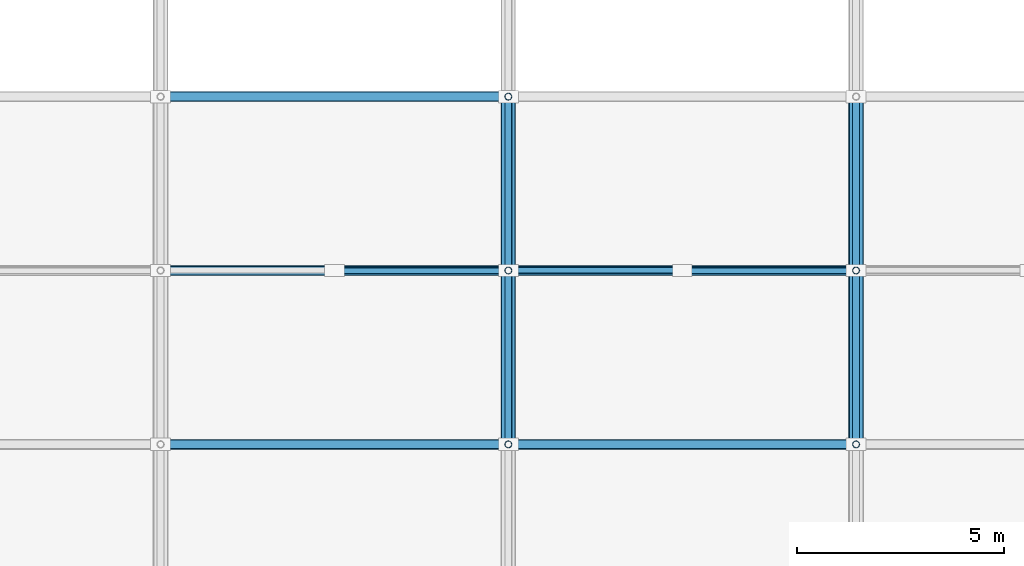
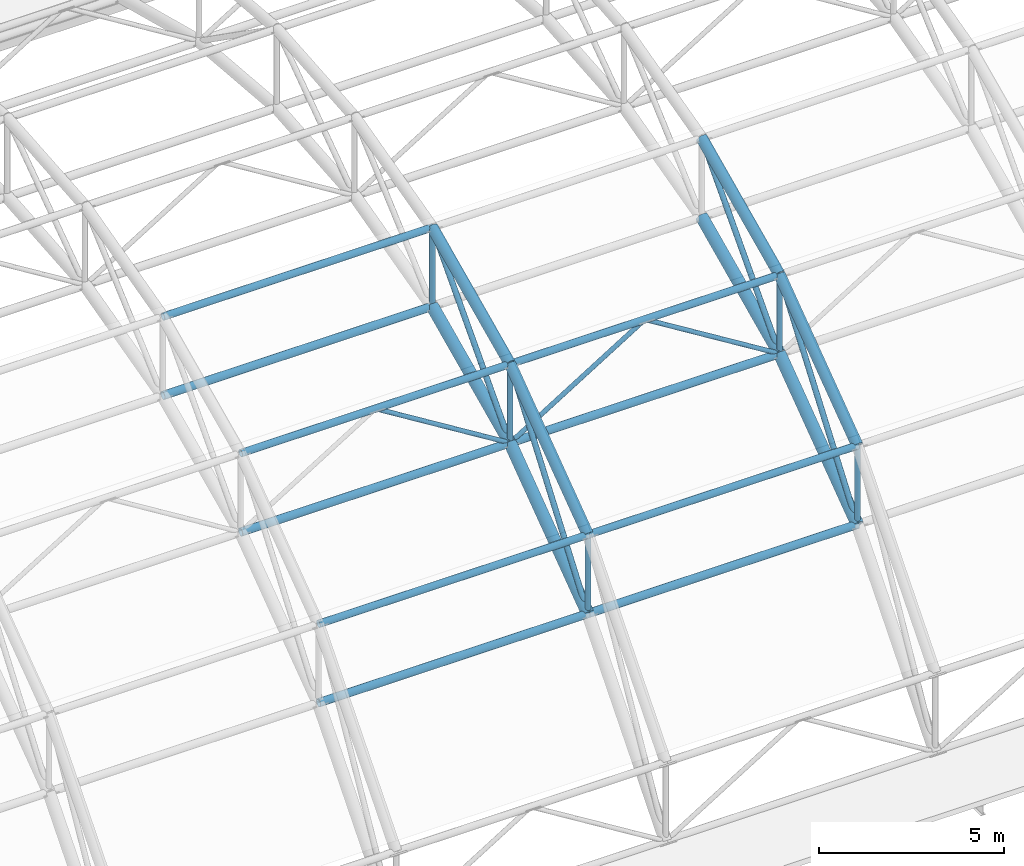
# One storey, part 31 of 103: 22 members, 8 beams.
"""IFC4 building model written with IfcOpenShell, lengths in metres."""

from ifc_helpers import new_model, si_unit, direction, frame, origin, origin_2d, place, context, subcontext, project, spatial, hollow_circle, extrude, material, material_profile, profile_set, type_object, element, save


model = new_model("IFC4")

# Units and contexts
model_context = context("Model", 3, precision=1e-05, world=origin(), true_north=direction((0.0, 1.0)))
body_context = subcontext(model_context, "Body", "Model", "MODEL_VIEW")
ifc_project = project(units=[si_unit("LENGTHUNIT", "METRE"), si_unit("AREAUNIT", "SQUARE_METRE"), si_unit("VOLUMEUNIT", "CUBIC_METRE"), si_unit("PLANEANGLEUNIT", "RADIAN"), si_unit("MASSUNIT", "GRAM", prefix="KILO")], contexts=[model_context])

# Site, building, storey
site_placement = place(None, origin())
site = spatial("IfcSite", under=ifc_project, at=site_placement, CompositionType="ELEMENT")
building_placement = place(site_placement, origin())
building = spatial("IfcBuilding", under=site, at=building_placement, Name="Varnapada Polytechnic", CompositionType="ELEMENT")
storey_placement = place(building_placement, frame((0.0, 0.0, 18.0)))
storey = spatial("IfcBuildingStorey", under=building, at=storey_placement, Name="L04", CompositionType="ELEMENT", Elevation=18.0)

# Members
ifc_material = material(Name="Steel S355", Category="steel")
ifc_material_profile_1 = material_profile(ifc_material, hollow_circle(Radius=0.122314453125, WallThickness=0.008056640625, at=origin_2d()), Name="CHS 244.5x8.0")
ifc_profile_set_1 = profile_set([ifc_material_profile_1], Name="Steel S355")
member_type_1 = type_object("IfcMemberType", Name="Vaulted space frame longitudinal bottom chord SFC-01 (CHS 244.5x8.0)", PredefinedType="CHORD", material=ifc_profile_set_1)
for number, where, z_axis, x_axis, name in (
    (1, (92.39990234375, 88.199951171875, 4.94921875), (1.0, 0.0, 0.0), (0.0, 1.0, 0.0), "Vaulted space frame longitudinal bottom chord 6.2"),
    (2, (92.39990234375, 92.39990234375, 8.02783203125), (1.0, 0.0, 0.0), (0.0, 1.0, 0.0), "Vaulted space frame longitudinal bottom chord 6.3"),
    (3, (92.39990234375, 96.60009765625, 9.98193359375), (1.0, 0.0, 0.0), (0.0, 1.0, 0.0), "Vaulted space frame longitudinal bottom chord 6.4"),
):
    element("IfcMember", number, at=place(storey_placement, frame(where, z_axis=z_axis, x_axis=x_axis)), inside=storey, type_object=member_type_1, Name=name, PredefinedType="CHORD", context=body_context, shape_type="SweptSolid", body=[
        extrude(hollow_circle(Radius=0.122314453125, WallThickness=0.008056640625, at=origin_2d()), origin(), (0.0, 0.0, 1.0), 8.400146484375),
    ])
for number, where, z_axis, x_axis, name in (
    (4, (100.800048828125, 88.199951171875, 4.94921875), (1.0, 0.0, 0.0), (0.0, 1.0, 0.0), "Vaulted space frame longitudinal bottom chord 7.2"),
    (5, (100.800048828125, 92.39990234375, 8.02783203125), (1.0, 0.0, 0.0), (0.0, 1.0, 0.0), "Vaulted space frame longitudinal bottom chord 7.3"),
):
    element("IfcMember", number, at=place(storey_placement, frame(where, z_axis=z_axis, x_axis=x_axis)), inside=storey, type_object=member_type_1, Name=name, PredefinedType="CHORD", context=body_context, shape_type="SweptSolid", body=[
        extrude(hollow_circle(Radius=0.122314453125, WallThickness=0.008056640625, at=origin_2d()), origin(), (0.0, 0.0, 1.0), 8.39990234375),
    ])
ifc_material_profile_2 = material_profile(ifc_material, hollow_circle(Radius=0.109619140625, WallThickness=0.008056640625, at=origin_2d()), Name="CHS 219.1x8.0")
ifc_profile_set_2 = profile_set([ifc_material_profile_2], Name="Steel S355")
member_type_2 = type_object("IfcMemberType", Name="Vaulted space frame longitudinal top chord SFC-02 (CHS 219.1x8.0)", PredefinedType="CHORD", material=ifc_profile_set_2)
for number, where, z_axis, x_axis, name in (
    (6, (92.39990234375, 88.199951171875, 7.549072265625), (1.0, 0.0, 0.0), (0.0, 1.0, 0.0), "Vaulted space frame longitudinal top chord 6.2"),
    (7, (92.39990234375, 92.39990234375, 10.6279296875), (1.0, 0.0, 0.0), (0.0, 1.0, 0.0), "Vaulted space frame longitudinal top chord 6.3"),
    (8, (92.39990234375, 96.60009765625, 12.581787109375), (1.0, 0.0, 0.0), (0.0, 1.0, 0.0), "Vaulted space frame longitudinal top chord 6.4"),
):
    element("IfcMember", number, at=place(storey_placement, frame(where, z_axis=z_axis, x_axis=x_axis)), inside=storey, type_object=member_type_2, Name=name, PredefinedType="CHORD", context=body_context, shape_type="SweptSolid", body=[
        extrude(hollow_circle(Radius=0.109619140625, WallThickness=0.008056640625, at=origin_2d()), origin(), (0.0, 0.0, 1.0), 8.400146484375),
    ])
for number, where, z_axis, x_axis, name in (
    (9, (100.800048828125, 88.199951171875, 7.549072265625), (1.0, 0.0, 0.0), (0.0, 1.0, 0.0), "Vaulted space frame longitudinal top chord 7.2"),
    (10, (100.800048828125, 92.39990234375, 10.6279296875), (1.0, 0.0, 0.0), (0.0, 1.0, 0.0), "Vaulted space frame longitudinal top chord 7.3"),
):
    element("IfcMember", number, at=place(storey_placement, frame(where, z_axis=z_axis, x_axis=x_axis)), inside=storey, type_object=member_type_2, Name=name, PredefinedType="CHORD", context=body_context, shape_type="SweptSolid", body=[
        extrude(hollow_circle(Radius=0.109619140625, WallThickness=0.008056640625, at=origin_2d()), origin(), (0.0, 0.0, 1.0), 8.39990234375),
    ])

# Beams
ifc_material_profile_3 = material_profile(ifc_material, hollow_circle(Radius=0.177734375, WallThickness=0.012451171875, at=origin_2d()), Name="CHS 355.6x12.5")
ifc_profile_set_3 = profile_set([ifc_material_profile_3], Name="Steel S355")
beam_type_1 = type_object("IfcBeamType", Name="Vaulted space frame primary arch rib VA-01 (CHS 355.6x12.5)", PredefinedType="BEAM", material=ifc_profile_set_3)
beam_1_placement = place(storey_placement, frame((100.800048828125, 88.199951171875, 4.94921875), z_axis=(0.0, 0.806528689778, 0.591194953095), x_axis=(-1.0, 0.0, 0.0)))
element("IfcBeam", 11, at=beam_1_placement, inside=storey, type_object=beam_type_1, Name="Vaulted space frame bottom arch chord 7.2", PredefinedType="BEAM", context=body_context, shape_type="SweptSolid", body=[
    extrude(hollow_circle(Radius=0.177734375, WallThickness=0.012451171875, at=origin_2d()), origin(), (0.0, 0.0, 1.0), 5.20751953125),
])
beam_2_placement = place(storey_placement, frame((100.800048828125, 92.39990234375, 8.02783203125), z_axis=(0.0, 0.906677989805, 0.421823449802), x_axis=(-1.0, 0.0, 0.0)))
element("IfcBeam", 12, at=beam_2_placement, inside=storey, type_object=beam_type_1, Name="Vaulted space frame bottom arch chord 7.3", PredefinedType="BEAM", context=body_context, shape_type="SweptSolid", body=[
    extrude(hollow_circle(Radius=0.177734375, WallThickness=0.012451171875, at=origin_2d()), origin(), (0.0, 0.0, 1.0), 4.632568359375),
])
beam_3_placement = place(storey_placement, frame((109.199951171875, 88.199951171875, 4.94921875), z_axis=(0.0, 0.806528689778, 0.591194953095), x_axis=(-1.0, 0.0, 0.0)))
element("IfcBeam", 13, at=beam_3_placement, inside=storey, type_object=beam_type_1, Name="Vaulted space frame bottom arch chord 8.2", PredefinedType="BEAM", context=body_context, shape_type="SweptSolid", body=[
    extrude(hollow_circle(Radius=0.177734375, WallThickness=0.012451171875, at=origin_2d()), origin(), (0.0, 0.0, 1.0), 5.20751953125),
])
beam_4_placement = place(storey_placement, frame((109.199951171875, 92.39990234375, 8.02783203125), z_axis=(0.0, 0.906677989805, 0.421823449802), x_axis=(-1.0, 0.0, 0.0)))
element("IfcBeam", 14, at=beam_4_placement, inside=storey, type_object=beam_type_1, Name="Vaulted space frame bottom arch chord 8.3", PredefinedType="BEAM", context=body_context, shape_type="SweptSolid", body=[
    extrude(hollow_circle(Radius=0.177734375, WallThickness=0.012451171875, at=origin_2d()), origin(), (0.0, 0.0, 1.0), 4.632568359375),
])

# Members
ifc_material_profile_4 = material_profile(ifc_material, hollow_circle(Radius=0.084228515625, WallThickness=0.00634765625, at=origin_2d()), Name="CHS 168.3x6.3")
ifc_profile_set_4 = profile_set([ifc_material_profile_4], Name="Steel S355")
member_type_3 = type_object("IfcMemberType", Name="Vaulted space frame primary web diagonal SFB-01 (CHS 168.3x6.3)", PredefinedType="BRACE", material=ifc_profile_set_4)
member_1_placement = place(storey_placement, frame((100.800048828125, 88.199951171875, 4.94921875), z_axis=(0.0, 0.594633036041, 0.803997234105), x_axis=(-1.0, 0.0, 0.0)))
element("IfcMember", 15, at=member_1_placement, inside=storey, type_object=member_type_3, Name="Vaulted space frame web diagonal 7.2", PredefinedType="BRACE", context=body_context, shape_type="SweptSolid", body=[
    extrude(hollow_circle(Radius=0.084228515625, WallThickness=0.00634765625, at=origin_2d()), origin(), (0.0, 0.0, 1.0), 7.06298828125),
])
member_2_placement = place(storey_placement, frame((100.800048828125, 92.39990234375, 8.02783203125), z_axis=(0.0, 0.677978881407, 0.735081380777), x_axis=(-1.0, 0.0, 0.0)))
element("IfcMember", 16, at=member_2_placement, inside=storey, type_object=member_type_3, Name="Vaulted space frame web diagonal 7.3", PredefinedType="BRACE", context=body_context, shape_type="SweptSolid", body=[
    extrude(hollow_circle(Radius=0.084228515625, WallThickness=0.00634765625, at=origin_2d()), origin(), (0.0, 0.0, 1.0), 6.195068359375),
])
member_3_placement = place(storey_placement, frame((109.199951171875, 88.199951171875, 4.94921875), z_axis=(0.0, 0.594633036041, 0.803997234105), x_axis=(-1.0, 0.0, 0.0)))
element("IfcMember", 17, at=member_3_placement, inside=storey, type_object=member_type_3, Name="Vaulted space frame web diagonal 8.2", PredefinedType="BRACE", context=body_context, shape_type="SweptSolid", body=[
    extrude(hollow_circle(Radius=0.084228515625, WallThickness=0.00634765625, at=origin_2d()), origin(), (0.0, 0.0, 1.0), 7.06298828125),
])
member_4_placement = place(storey_placement, frame((109.199951171875, 92.39990234375, 8.02783203125), z_axis=(0.0, 0.677978881407, 0.735081380777), x_axis=(-1.0, 0.0, 0.0)))
element("IfcMember", 18, at=member_4_placement, inside=storey, type_object=member_type_3, Name="Vaulted space frame web diagonal 8.3", PredefinedType="BRACE", context=body_context, shape_type="SweptSolid", body=[
    extrude(hollow_circle(Radius=0.084228515625, WallThickness=0.00634765625, at=origin_2d()), origin(), (0.0, 0.0, 1.0), 6.195068359375),
])
ifc_material_profile_5 = material_profile(ifc_material, hollow_circle(Radius=0.084228515625, WallThickness=0.00634765625, at=origin_2d()), Name="CHS 168.3x6.3")
ifc_profile_set_5 = profile_set([ifc_material_profile_5], Name="Steel S355")
member_type_4 = type_object("IfcMemberType", Name="Vaulted space frame radial web strut SFS-01 (CHS 168.3x6.3)", PredefinedType="STRUT", material=ifc_profile_set_5)
member_5_placement = place(storey_placement, frame((100.800048828125, 88.199951171875, 4.94921875), z_axis=(0.0, 0.0, 1.0), x_axis=(1.0, 0.0, 0.0)))
element("IfcMember", 19, at=member_5_placement, inside=storey, type_object=member_type_4, Name="Vaulted space frame strut 7.2", PredefinedType="STRUT", context=body_context, shape_type="SweptSolid", body=[
    extrude(hollow_circle(Radius=0.084228515625, WallThickness=0.00634765625, at=origin_2d()), origin(), (0.0, 0.0, 1.0), 2.599853515625),
])
member_6_placement = place(storey_placement, frame((100.800048828125, 92.39990234375, 8.02783203125), z_axis=(0.0, 0.0, 1.0), x_axis=(1.0, 0.0, 0.0)))
element("IfcMember", 20, at=member_6_placement, inside=storey, type_object=member_type_4, Name="Vaulted space frame strut 7.3", PredefinedType="STRUT", context=body_context, shape_type="SweptSolid", body=[
    extrude(hollow_circle(Radius=0.084228515625, WallThickness=0.00634765625, at=origin_2d()), origin(), (0.0, 0.0, 1.0), 2.60009765625),
])
for number, where, z_axis, x_axis, name in (
    (21, (100.800048828125, 96.60009765625, 9.98193359375), (0.0, 0.0, 1.0), (1.0, 0.0, 0.0), "Vaulted space frame strut 7.4"),
    (22, (109.199951171875, 88.199951171875, 4.94921875), (0.0, 0.0, 1.0), (1.0, 0.0, 0.0), "Vaulted space frame strut 8.2"),
):
    element("IfcMember", number, at=place(storey_placement, frame(where, z_axis=z_axis, x_axis=x_axis)), inside=storey, type_object=member_type_4, Name=name, PredefinedType="STRUT", context=body_context, shape_type="SweptSolid", body=[
        extrude(hollow_circle(Radius=0.084228515625, WallThickness=0.00634765625, at=origin_2d()), origin(), (0.0, 0.0, 1.0), 2.599853515625),
    ])
member_7_placement = place(storey_placement, frame((109.199951171875, 92.39990234375, 8.02783203125), z_axis=(0.0, 0.0, 1.0), x_axis=(1.0, 0.0, 0.0)))
element("IfcMember", 23, at=member_7_placement, inside=storey, type_object=member_type_4, Name="Vaulted space frame strut 8.3", PredefinedType="STRUT", context=body_context, shape_type="SweptSolid", body=[
    extrude(hollow_circle(Radius=0.084228515625, WallThickness=0.00634765625, at=origin_2d()), origin(), (0.0, 0.0, 1.0), 2.60009765625),
])
ifc_material_profile_6 = material_profile(ifc_material, hollow_circle(Radius=0.06982421875, WallThickness=0.0048828125, at=origin_2d()), Name="CHS 139.7x5.0")
ifc_profile_set_6 = profile_set([ifc_material_profile_6], Name="Steel S355")
member_type_5 = type_object("IfcMemberType", Name="Vaulted space frame secondary web diagonal SFB-02 (CHS 139.7x5.0)", PredefinedType="BRACE", material=ifc_profile_set_6)
for number, where, z_axis, x_axis, name in (
    (24, (100.800048828125, 92.39990234375, 8.02783203125), (-0.85025356003, 0.0, 0.526373331065), (0.0, -1.0, 0.0), "Vaulted space frame longitudinal brace 6.3B"),
    (25, (100.800048828125, 92.39990234375, 8.02783203125), (0.85025356003, 0.0, 0.526373331065), (0.0, 1.0, 0.0), "Vaulted space frame longitudinal brace 7.3A"),
    (26, (109.199951171875, 92.39990234375, 8.02783203125), (-0.85025356003, 0.0, 0.526373331065), (0.0, -1.0, 0.0), "Vaulted space frame longitudinal brace 7.3B"),
):
    element("IfcMember", number, at=place(storey_placement, frame(where, z_axis=z_axis, x_axis=x_axis)), inside=storey, type_object=member_type_5, Name=name, PredefinedType="BRACE", context=body_context, shape_type="SweptSolid", body=[
        extrude(hollow_circle(Radius=0.06982421875, WallThickness=0.0048828125, at=origin_2d()), origin(), (0.0, 0.0, 1.0), 4.939697265625),
    ])

# Beams
ifc_material_profile_7 = material_profile(ifc_material, hollow_circle(Radius=0.161865234375, WallThickness=0.010009765625, at=origin_2d()), Name="CHS 323.9x10.0")
ifc_profile_set_7 = profile_set([ifc_material_profile_7], Name="Steel S355")
beam_type_2 = type_object("IfcBeamType", Name="Vaulted space frame upper arch rib VA-02 (CHS 323.9x10.0)", PredefinedType="BEAM", material=ifc_profile_set_7)
beam_5_placement = place(storey_placement, frame((100.800048828125, 88.199951171875, 7.549072265625), z_axis=(0.0, 0.806506335259, 0.591225448698), x_axis=(-1.0, 0.0, 0.0)))
element("IfcBeam", 27, at=beam_5_placement, inside=storey, type_object=beam_type_2, Name="Vaulted space frame top arch chord 7.2", PredefinedType="BEAM", context=body_context, shape_type="SweptSolid", body=[
    extrude(hollow_circle(Radius=0.161865234375, WallThickness=0.010009765625, at=origin_2d()), origin(), (0.0, 0.0, 1.0), 5.20751953125),
])
beam_6_placement = place(storey_placement, frame((100.800048828125, 92.39990234375, 10.6279296875), z_axis=(0.0, 0.906698145361, 0.421780124234), x_axis=(-1.0, 0.0, 0.0)))
element("IfcBeam", 28, at=beam_6_placement, inside=storey, type_object=beam_type_2, Name="Vaulted space frame top arch chord 7.3", PredefinedType="BEAM", context=body_context, shape_type="SweptSolid", body=[
    extrude(hollow_circle(Radius=0.161865234375, WallThickness=0.010009765625, at=origin_2d()), origin(), (0.0, 0.0, 1.0), 4.63232421875),
])
beam_7_placement = place(storey_placement, frame((109.199951171875, 88.199951171875, 7.549072265625), z_axis=(0.0, 0.806506335259, 0.591225448698), x_axis=(-1.0, 0.0, 0.0)))
element("IfcBeam", 29, at=beam_7_placement, inside=storey, type_object=beam_type_2, Name="Vaulted space frame top arch chord 8.2", PredefinedType="BEAM", context=body_context, shape_type="SweptSolid", body=[
    extrude(hollow_circle(Radius=0.161865234375, WallThickness=0.010009765625, at=origin_2d()), origin(), (0.0, 0.0, 1.0), 5.20751953125),
])
beam_8_placement = place(storey_placement, frame((109.199951171875, 92.39990234375, 10.6279296875), z_axis=(0.0, 0.906698145361, 0.421780124234), x_axis=(-1.0, 0.0, 0.0)))
element("IfcBeam", 30, at=beam_8_placement, inside=storey, type_object=beam_type_2, Name="Vaulted space frame top arch chord 8.3", PredefinedType="BEAM", context=body_context, shape_type="SweptSolid", body=[
    extrude(hollow_circle(Radius=0.161865234375, WallThickness=0.010009765625, at=origin_2d()), origin(), (0.0, 0.0, 1.0), 4.63232421875),
])

save(model, "model.ifc")
